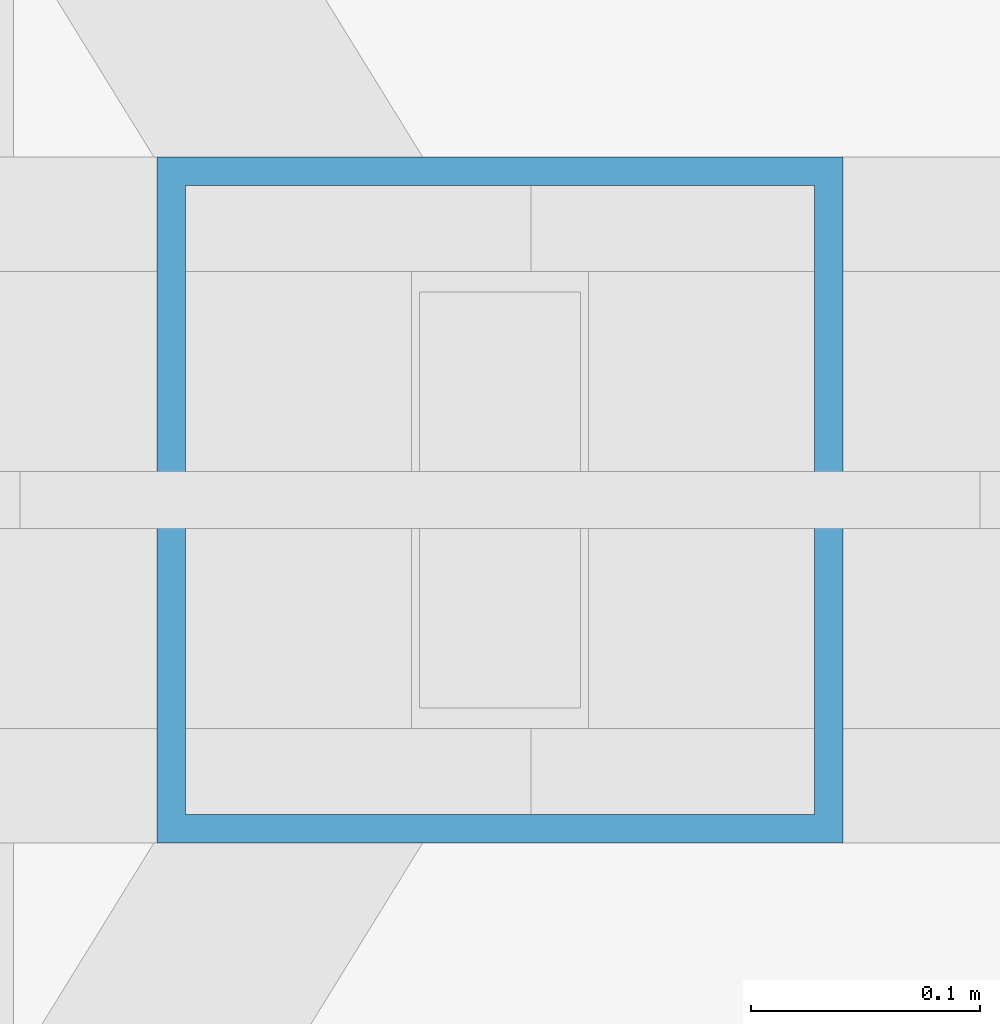
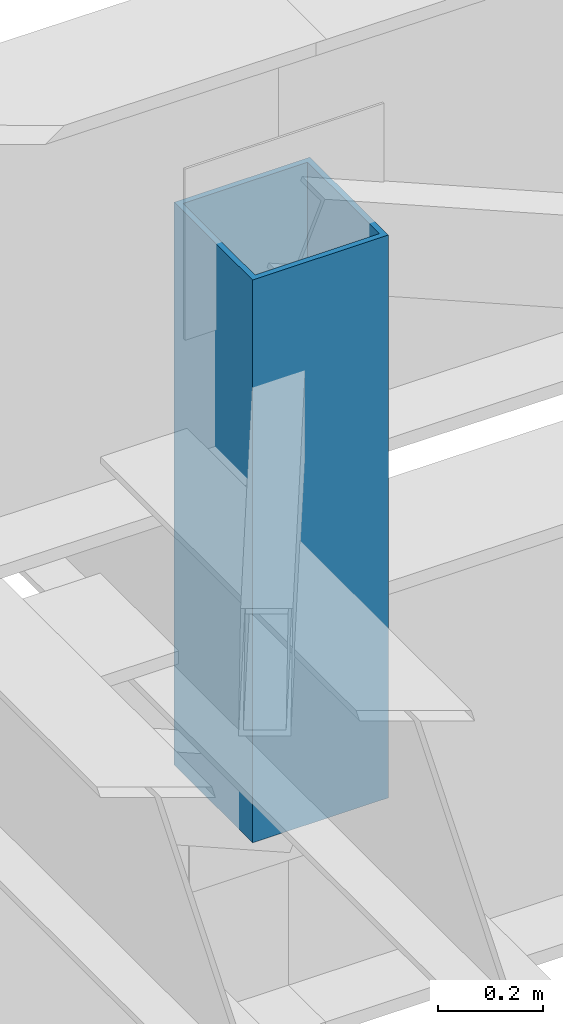
# One storey, part 87 of 184: 1 member.
"""IFC4 building model written with IfcOpenShell, lengths in metres."""

from ifc_helpers import new_model, si_unit, direction, frame, origin, origin_2d, place, context, subcontext, project, spatial, hollow_rectangle, extrude, material, material_profile, profile_set, type_object, element, save


model = new_model("IFC4")

# Units and contexts
model_context = context("Model", 3, precision=1e-05, world=origin(), true_north=direction((0.0, 1.0)))
body_context = subcontext(model_context, "Body", "Model", "MODEL_VIEW")
ifc_project = project(units=[si_unit("LENGTHUNIT", "METRE"), si_unit("AREAUNIT", "SQUARE_METRE"), si_unit("VOLUMEUNIT", "CUBIC_METRE"), si_unit("PLANEANGLEUNIT", "RADIAN"), si_unit("MASSUNIT", "GRAM", prefix="KILO")], contexts=[model_context])

# Site, building, storey
site_placement = place(None, origin())
site = spatial("IfcSite", under=ifc_project, at=site_placement, CompositionType="ELEMENT")
building_placement = place(site_placement, origin())
building = spatial("IfcBuilding", under=site, at=building_placement, Name="Kalgoora Escarpment Arena", CompositionType="ELEMENT")
storey_placement = place(building_placement, frame((0.0, 0.0, 27.60009765625)))
storey = spatial("IfcBuildingStorey", under=building, at=storey_placement, Name="Roof Level", CompositionType="ELEMENT", Elevation=27.60009765625)

# Member
ifc_material = material(Name="Structural steel C450 (450 MPa)", Category="steel")
ifc_material_profile = material_profile(ifc_material, hollow_rectangle(XDim=0.300048828125, YDim=0.300048828125, WallThickness=0.012451171875, at=origin_2d()))
ifc_profile_set = profile_set([ifc_material_profile], Name="Structural steel C450 (450 MPa)")
member_type = type_object("IfcMemberType", Name="MEM-TRUSS-POST", PredefinedType="POST", material=ifc_profile_set)
member_placement = place(storey_placement, frame((127.580078125, 64.0, -1.635009765625), z_axis=(0.0, 0.0, 1.0), x_axis=(-1.0, 0.0, 0.0)))
element("IfcMember", 1, at=member_placement, inside=storey, type_object=member_type, Name="Radial ROOF TRUSS spine 1 post 4", PredefinedType="POST", context=body_context, shape_type="SweptSolid", body=[
    extrude(hollow_rectangle(XDim=0.300048828125, YDim=0.300048828125, WallThickness=0.012451171875, at=origin_2d()), origin(), (0.0, 0.0, 1.0), 1.31494140625),
])

save(model, "model.ifc")
